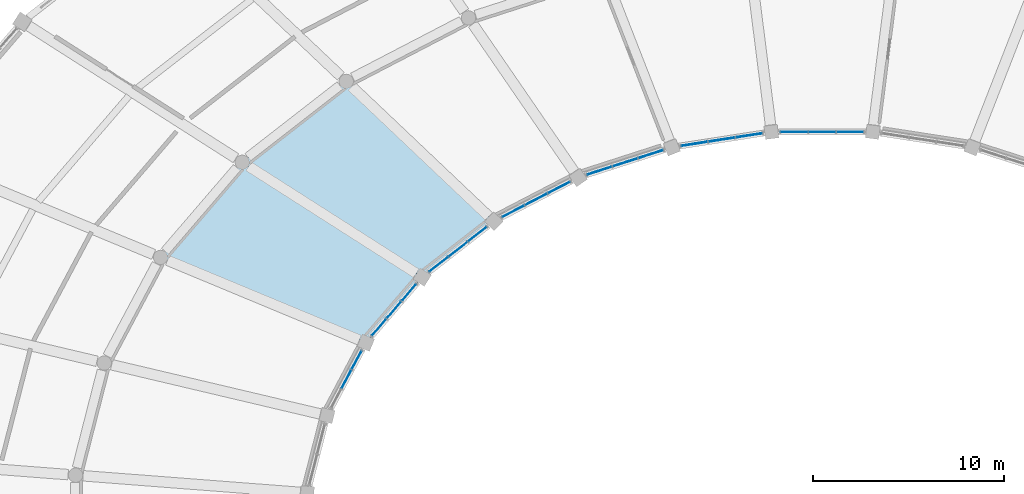
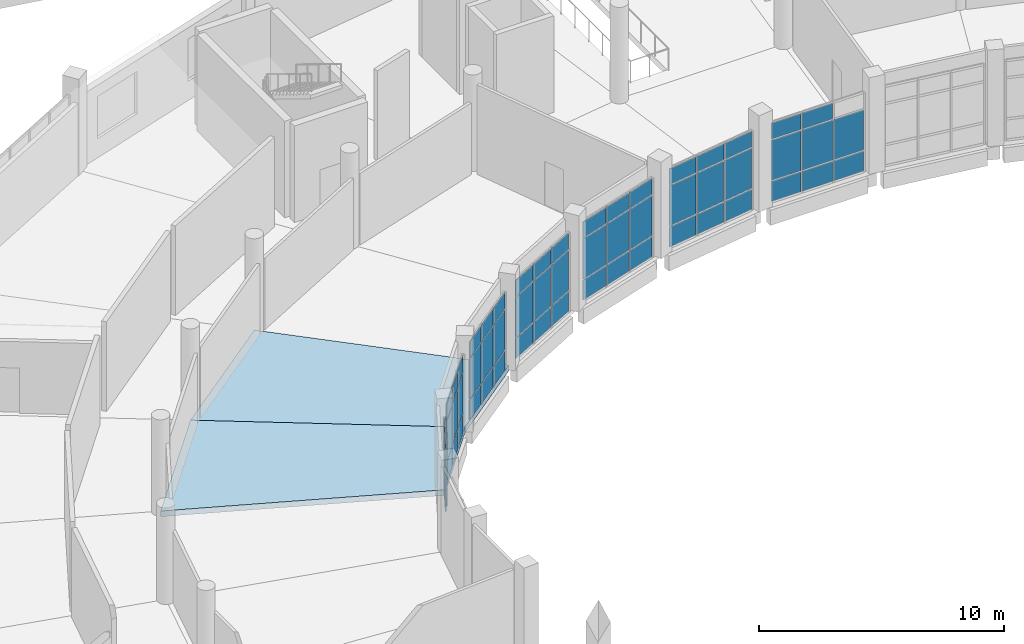
# One storey, part 89 of 179: 58 plates, 2 slabs, 7 elements without a shape of their own.
"""IFC4 building model written with IfcOpenShell, lengths in metres."""

from ifc_helpers import new_model, si_unit, direction, frame, origin, origin_2d, place, context, subcontext, project, spatial, polyline, rectangle, outline, extrude, material, layer, layer_set, type_object, element, aggregate, save


model = new_model("IFC4")

# Units and contexts
model_context = context("Model", 3, precision=1e-05, world=origin(), true_north=direction((0.0, 1.0)))
body_context = subcontext(model_context, "Body", "Model", "MODEL_VIEW")
ifc_project = project(units=[si_unit("LENGTHUNIT", "METRE"), si_unit("AREAUNIT", "SQUARE_METRE"), si_unit("VOLUMEUNIT", "CUBIC_METRE"), si_unit("PLANEANGLEUNIT", "RADIAN"), si_unit("MASSUNIT", "GRAM", prefix="KILO")], contexts=[model_context])

# Site, building, storey
site_placement = place(None, origin())
site = spatial("IfcSite", under=ifc_project, at=site_placement, CompositionType="ELEMENT")
building_placement = place(site_placement, origin())
building = spatial("IfcBuilding", under=site, at=building_placement, Name="Corvandel Quay Wholesale Market", CompositionType="ELEMENT")
storey_placement = place(building_placement, frame((0.0, 0.0, 6.0)))
storey = spatial("IfcBuildingStorey", under=building, at=storey_placement, Name="L01", CompositionType="ELEMENT", Elevation=6.0)

# Curtain wall, plates
ifc_material_1 = material(Name="Bronze anodised aluminium and low-E insulated glazing", Category="aluminium")
ifc_layer_1 = layer(ifc_material_1, 0.174072265625)
ifc_layer_set_1 = layer_set([ifc_layer_1], Name="Bronze anodised aluminium and low-E insulated glazing")
curtain_wall_type_1 = type_object("IfcCurtainWallType", Name="Stick Curtain Wall System CW22 H4980", PredefinedType="NOTDEFINED", material=ifc_layer_set_1)
curtain_wall_1_placement = place(storey_placement, origin())
curtain_wall_1 = element("IfcCurtainWall", 1, at=curtain_wall_1_placement, inside=storey, type_object=curtain_wall_type_1, Name="Curtain Wall CW-0022", PredefinedType="NOTDEFINED")
ifc_material_2 = material(Name="Solar-control low-E insulated glazing", Category="glass")
ifc_layer_2 = layer(ifc_material_2, 0.033935546875)
ifc_layer_set_2 = layer_set([ifc_layer_2], Name="Solar-control low-E insulated glazing")
plate_type_1 = type_object("IfcPlateType", Name="Acoustic Laminated Vision Panel PN02 34mm", PredefinedType="CURTAIN_PANEL", material=ifc_layer_set_2)
plate_1_placement = place(storey_placement, frame((115.466064453125, 63.0, 0.02978515625), z_axis=(0.0, 0.0, 1.0), x_axis=(1.0, 0.0, 0.0)))
plate_1 = element("IfcPlate", 2, at=plate_1_placement, type_object=plate_type_1, Name="Glazing Panel CW-0022-P00-0", PredefinedType="CURTAIN_PANEL", context=body_context, shape_type="SweptSolid", body=[
    extrude(rectangle(XDim=1.40087890625, YDim=0.033935546875, at=origin_2d()), origin(), (0.0, 0.0, 1.0), 0.989990234375),
])
plate_2_placement = place(storey_placement, frame((115.466064453125, 63.0, 1.080078125), z_axis=(0.0, 0.0, 1.0), x_axis=(1.0, 0.0, 0.0)))
plate_2 = element("IfcPlate", 3, at=plate_2_placement, type_object=plate_type_1, Name="Glazing Panel CW-0022-P00-1", PredefinedType="CURTAIN_PANEL", context=body_context, shape_type="SweptSolid", body=[
    extrude(rectangle(XDim=1.40087890625, YDim=0.033935546875, at=origin_2d()), origin(), (0.0, 0.0, 1.0), 1.989990234375),
])
plate_3_placement = place(storey_placement, frame((114.0, 63.0, 0.02978515625), z_axis=(0.0, 0.0, 1.0), x_axis=(1.0, 0.0, 0.0)))
plate_3 = element("IfcPlate", 4, at=plate_3_placement, type_object=plate_type_1, Name="Glazing Panel CW-0022-P01-0", PredefinedType="CURTAIN_PANEL", context=body_context, shape_type="SweptSolid", body=[
    extrude(rectangle(XDim=1.40087890625, YDim=0.033935546875, at=origin_2d()), origin(), (0.0, 0.0, 1.0), 0.989990234375),
])
plate_4_placement = place(storey_placement, frame((114.0, 63.0, 1.080078125), z_axis=(0.0, 0.0, 1.0), x_axis=(1.0, 0.0, 0.0)))
plate_4 = element("IfcPlate", 5, at=plate_4_placement, type_object=plate_type_1, Name="Glazing Panel CW-0022-P01-1", PredefinedType="CURTAIN_PANEL", context=body_context, shape_type="SweptSolid", body=[
    extrude(rectangle(XDim=1.40087890625, YDim=0.033935546875, at=origin_2d()), origin(), (0.0, 0.0, 1.0), 1.989990234375),
])
plate_5_placement = place(storey_placement, frame((112.533935546875, 63.0, 0.02978515625), z_axis=(0.0, 0.0, 1.0), x_axis=(1.0, 0.0, 0.0)))
plate_5 = element("IfcPlate", 6, at=plate_5_placement, type_object=plate_type_1, Name="Glazing Panel CW-0022-P02-0", PredefinedType="CURTAIN_PANEL", context=body_context, shape_type="SweptSolid", body=[
    extrude(rectangle(XDim=1.40087890625, YDim=0.033935546875, at=origin_2d()), origin(), (0.0, 0.0, 1.0), 0.989990234375),
])
plate_6_placement = place(storey_placement, frame((112.533935546875, 63.0, 1.080078125), z_axis=(0.0, 0.0, 1.0), x_axis=(1.0, 0.0, 0.0)))
plate_6 = element("IfcPlate", 7, at=plate_6_placement, type_object=plate_type_1, Name="Glazing Panel CW-0022-P02-1", PredefinedType="CURTAIN_PANEL", context=body_context, shape_type="SweptSolid", body=[
    extrude(rectangle(XDim=1.40087890625, YDim=0.033935546875, at=origin_2d()), origin(), (0.0, 0.0, 1.0), 1.989990234375),
])

ifc_layer_3 = layer(ifc_material_1, 0.18603515625)
ifc_layer_set_3 = layer_set([ifc_layer_3], Name="Bronze anodised aluminium and low-E insulated glazing")
curtain_wall_type_2 = type_object("IfcCurtainWallType", Name="Stick Curtain Wall System CW23 H5070", PredefinedType="NOTDEFINED", material=ifc_layer_set_3)
curtain_wall_2_placement = place(storey_placement, origin())
curtain_wall_2 = element("IfcCurtainWall", 8, at=curtain_wall_2_placement, inside=storey, type_object=curtain_wall_type_2, Name="Curtain Wall CW-0025", PredefinedType="NOTDEFINED")
plate_7_placement = place(storey_placement, frame((110.16845703125, 62.818603515625, 0.02978515625), z_axis=(0.0, 0.0, 1.0), x_axis=(0.98825506746, 0.152813355565, 0.0)))
plate_7 = element("IfcPlate", 9, at=plate_7_placement, type_object=plate_type_1, Name="Glazing Panel CW-0025-P00-0", PredefinedType="CURTAIN_PANEL", context=body_context, shape_type="SweptSolid", body=[
    extrude(rectangle(XDim=1.387939453125, YDim=0.033935546875, at=origin_2d()), origin(), (0.0, 0.0, 1.0), 0.989990234375),
])
plate_8_placement = place(storey_placement, frame((110.16845703125, 62.818603515625, 1.080078125), z_axis=(0.0, 0.0, 1.0), x_axis=(0.98825506746, 0.152813355565, 0.0)))
plate_8 = element("IfcPlate", 10, at=plate_8_placement, type_object=plate_type_1, Name="Glazing Panel CW-0025-P00-1", PredefinedType="CURTAIN_PANEL", context=body_context, shape_type="SweptSolid", body=[
    extrude(rectangle(XDim=1.387939453125, YDim=0.033935546875, at=origin_2d()), origin(), (0.0, 0.0, 1.0), 1.989990234375),
])
plate_9_placement = place(storey_placement, frame((108.732421875, 62.596435546875, 0.02978515625), z_axis=(0.0, 0.0, 1.0), x_axis=(0.98825506746, 0.152813355565, 0.0)))
plate_9 = element("IfcPlate", 11, at=plate_9_placement, type_object=plate_type_1, Name="Glazing Panel CW-0025-P01-0", PredefinedType="CURTAIN_PANEL", context=body_context, shape_type="SweptSolid", body=[
    extrude(rectangle(XDim=1.387939453125, YDim=0.033935546875, at=origin_2d()), origin(), (0.0, 0.0, 1.0), 0.989990234375),
])
plate_10_placement = place(storey_placement, frame((108.732421875, 62.596435546875, 1.080078125), z_axis=(0.0, 0.0, 1.0), x_axis=(0.98825506746, 0.152813355565, 0.0)))
plate_10 = element("IfcPlate", 12, at=plate_10_placement, type_object=plate_type_1, Name="Glazing Panel CW-0025-P01-1", PredefinedType="CURTAIN_PANEL", context=body_context, shape_type="SweptSolid", body=[
    extrude(rectangle(XDim=1.387939453125, YDim=0.033935546875, at=origin_2d()), origin(), (0.0, 0.0, 1.0), 1.989990234375),
])
plate_11_placement = place(storey_placement, frame((107.296630859375, 62.37451171875, 0.02978515625), z_axis=(0.0, 0.0, 1.0), x_axis=(0.98825506746, 0.152813355565, 0.0)))
plate_11 = element("IfcPlate", 13, at=plate_11_placement, type_object=plate_type_1, Name="Glazing Panel CW-0025-P02-0", PredefinedType="CURTAIN_PANEL", context=body_context, shape_type="SweptSolid", body=[
    extrude(rectangle(XDim=1.387939453125, YDim=0.033935546875, at=origin_2d()), origin(), (0.0, 0.0, 1.0), 0.989990234375),
])
plate_12_placement = place(storey_placement, frame((107.296630859375, 62.37451171875, 1.080078125), z_axis=(0.0, 0.0, 1.0), x_axis=(0.98825506746, 0.152813355565, 0.0)))
plate_12 = element("IfcPlate", 14, at=plate_12_placement, type_object=plate_type_1, Name="Glazing Panel CW-0025-P02-1", PredefinedType="CURTAIN_PANEL", context=body_context, shape_type="SweptSolid", body=[
    extrude(rectangle(XDim=1.387939453125, YDim=0.033935546875, at=origin_2d()), origin(), (0.0, 0.0, 1.0), 1.989990234375),
])

ifc_layer_4 = layer(ifc_material_1, 0.197998046875)
ifc_layer_set_4 = layer_set([ifc_layer_4], Name="Bronze anodised aluminium and low-E insulated glazing")
curtain_wall_type_3 = type_object("IfcCurtainWallType", Name="Stick Curtain Wall System CW24 H5160", PredefinedType="NOTDEFINED", material=ifc_layer_set_4)
curtain_wall_3_placement = place(storey_placement, origin())
curtain_wall_3 = element("IfcCurtainWall", 15, at=curtain_wall_3_placement, inside=storey, type_object=curtain_wall_type_3, Name="Curtain Wall CW-0028", PredefinedType="NOTDEFINED")
plate_13_placement = place(storey_placement, frame((105.01318359375, 61.835205078125, 0.02978515625), z_axis=(0.0, 0.0, 1.0), x_axis=(0.951808747363, 0.306692204733, 0.0)))
plate_13 = element("IfcPlate", 16, at=plate_13_placement, type_object=plate_type_1, Name="Glazing Panel CW-0028-P00-0", PredefinedType="CURTAIN_PANEL", context=body_context, shape_type="SweptSolid", body=[
    extrude(rectangle(XDim=1.348876953125, YDim=0.033935546875, at=origin_2d()), origin(), (0.0, 0.0, 1.0), 0.989990234375),
])
plate_14_placement = place(storey_placement, frame((105.01318359375, 61.835205078125, 1.080078125), z_axis=(0.0, 0.0, 1.0), x_axis=(0.951808747363, 0.306692204733, 0.0)))
plate_14 = element("IfcPlate", 17, at=plate_14_placement, type_object=plate_type_1, Name="Glazing Panel CW-0028-P00-1", PredefinedType="CURTAIN_PANEL", context=body_context, shape_type="SweptSolid", body=[
    extrude(rectangle(XDim=1.348876953125, YDim=0.033935546875, at=origin_2d()), origin(), (0.0, 0.0, 1.0), 1.989990234375),
])
plate_15_placement = place(storey_placement, frame((103.66748046875, 61.401611328125, 0.02978515625), z_axis=(0.0, 0.0, 1.0), x_axis=(0.951808747363, 0.306692204733, 0.0)))
plate_15 = element("IfcPlate", 18, at=plate_15_placement, type_object=plate_type_1, Name="Glazing Panel CW-0028-P01-0", PredefinedType="CURTAIN_PANEL", context=body_context, shape_type="SweptSolid", body=[
    extrude(rectangle(XDim=1.348876953125, YDim=0.033935546875, at=origin_2d()), origin(), (0.0, 0.0, 1.0), 0.989990234375),
])
plate_16_placement = place(storey_placement, frame((103.66748046875, 61.401611328125, 1.080078125), z_axis=(0.0, 0.0, 1.0), x_axis=(0.951808747363, 0.306692204733, 0.0)))
plate_16 = element("IfcPlate", 19, at=plate_16_placement, type_object=plate_type_1, Name="Glazing Panel CW-0028-P01-1", PredefinedType="CURTAIN_PANEL", context=body_context, shape_type="SweptSolid", body=[
    extrude(rectangle(XDim=1.348876953125, YDim=0.033935546875, at=origin_2d()), origin(), (0.0, 0.0, 1.0), 1.989990234375),
])
plate_17_placement = place(storey_placement, frame((102.32177734375, 60.968017578125, 0.02978515625), z_axis=(0.0, 0.0, 1.0), x_axis=(0.951808747363, 0.306692204733, 0.0)))
plate_17 = element("IfcPlate", 20, at=plate_17_placement, type_object=plate_type_1, Name="Glazing Panel CW-0028-P02-0", PredefinedType="CURTAIN_PANEL", context=body_context, shape_type="SweptSolid", body=[
    extrude(rectangle(XDim=1.348876953125, YDim=0.033935546875, at=origin_2d()), origin(), (0.0, 0.0, 1.0), 0.989990234375),
])
plate_18_placement = place(storey_placement, frame((102.32177734375, 60.968017578125, 1.080078125), z_axis=(0.0, 0.0, 1.0), x_axis=(0.951808747363, 0.306692204733, 0.0)))
plate_18 = element("IfcPlate", 21, at=plate_18_placement, type_object=plate_type_1, Name="Glazing Panel CW-0028-P02-1", PredefinedType="CURTAIN_PANEL", context=body_context, shape_type="SweptSolid", body=[
    extrude(rectangle(XDim=1.348876953125, YDim=0.033935546875, at=origin_2d()), origin(), (0.0, 0.0, 1.0), 1.989990234375),
])

ifc_layer_5 = layer(ifc_material_1, 0.14990234375)
ifc_layer_set_5 = layer_set([ifc_layer_5], Name="Bronze anodised aluminium and low-E insulated glazing")
curtain_wall_type_4 = type_object("IfcCurtainWallType", Name="Stick Curtain Wall System CW25 H5250", PredefinedType="NOTDEFINED", material=ifc_layer_set_5)
curtain_wall_4_placement = place(storey_placement, origin())
curtain_wall_4 = element("IfcCurtainWall", 22, at=curtain_wall_4_placement, inside=storey, type_object=curtain_wall_type_4, Name="Curtain Wall CW-0032", PredefinedType="NOTDEFINED")
plate_19_placement = place(storey_placement, frame((100.201904296875, 60.085693359375, 0.02978515625), z_axis=(0.0, 0.0, 1.0), x_axis=(0.887332978338, 0.461129250378, 0.0)))
plate_19 = element("IfcPlate", 23, at=plate_19_placement, type_object=plate_type_1, Name="Glazing Panel CW-0032-P00-0", PredefinedType="CURTAIN_PANEL", context=body_context, shape_type="SweptSolid", body=[
    extrude(rectangle(XDim=1.28955078125, YDim=0.033935546875, at=origin_2d()), origin(), (0.0, 0.0, 1.0), 0.989990234375),
])
plate_20_placement = place(storey_placement, frame((100.201904296875, 60.085693359375, 1.080078125), z_axis=(0.0, 0.0, 1.0), x_axis=(0.887332978338, 0.461129250378, 0.0)))
plate_20 = element("IfcPlate", 24, at=plate_20_placement, type_object=plate_type_1, Name="Glazing Panel CW-0032-P00-1", PredefinedType="CURTAIN_PANEL", context=body_context, shape_type="SweptSolid", body=[
    extrude(rectangle(XDim=1.28955078125, YDim=0.033935546875, at=origin_2d()), origin(), (0.0, 0.0, 1.0), 1.989990234375),
])
plate_21_placement = place(storey_placement, frame((99.0, 59.4609375, 0.02978515625), z_axis=(0.0, 0.0, 1.0), x_axis=(0.887332978338, 0.461129250378, 0.0)))
plate_21 = element("IfcPlate", 25, at=plate_21_placement, type_object=plate_type_1, Name="Glazing Panel CW-0032-P01-0", PredefinedType="CURTAIN_PANEL", context=body_context, shape_type="SweptSolid", body=[
    extrude(rectangle(XDim=1.28955078125, YDim=0.033935546875, at=origin_2d()), origin(), (0.0, 0.0, 1.0), 0.989990234375),
])
plate_22_placement = place(storey_placement, frame((99.0, 59.4609375, 1.080078125), z_axis=(0.0, 0.0, 1.0), x_axis=(0.887332978338, 0.461129250378, 0.0)))
plate_22 = element("IfcPlate", 26, at=plate_22_placement, type_object=plate_type_1, Name="Glazing Panel CW-0032-P01-1", PredefinedType="CURTAIN_PANEL", context=body_context, shape_type="SweptSolid", body=[
    extrude(rectangle(XDim=1.28955078125, YDim=0.033935546875, at=origin_2d()), origin(), (0.0, 0.0, 1.0), 1.989990234375),
])
plate_23_placement = place(storey_placement, frame((97.798095703125, 58.83642578125, 0.02978515625), z_axis=(0.0, 0.0, 1.0), x_axis=(0.887332978338, 0.461129250378, 0.0)))
plate_23 = element("IfcPlate", 27, at=plate_23_placement, type_object=plate_type_1, Name="Glazing Panel CW-0032-P02-0", PredefinedType="CURTAIN_PANEL", context=body_context, shape_type="SweptSolid", body=[
    extrude(rectangle(XDim=1.28955078125, YDim=0.033935546875, at=origin_2d()), origin(), (0.0, 0.0, 1.0), 0.989990234375),
])
plate_24_placement = place(storey_placement, frame((97.798095703125, 58.83642578125, 1.080078125), z_axis=(0.0, 0.0, 1.0), x_axis=(0.887332978338, 0.461129250378, 0.0)))
plate_24 = element("IfcPlate", 28, at=plate_24_placement, type_object=plate_type_1, Name="Glazing Panel CW-0032-P02-1", PredefinedType="CURTAIN_PANEL", context=body_context, shape_type="SweptSolid", body=[
    extrude(rectangle(XDim=1.28955078125, YDim=0.033935546875, at=origin_2d()), origin(), (0.0, 0.0, 1.0), 1.989990234375),
])

ifc_layer_6 = layer(ifc_material_1, 0.162109375)
ifc_layer_set_6 = layer_set([ifc_layer_6], Name="Bronze anodised aluminium and low-E insulated glazing")
curtain_wall_type_5 = type_object("IfcCurtainWallType", Name="Stick Curtain Wall System CW26 H5340", PredefinedType="NOTDEFINED", material=ifc_layer_set_6)
curtain_wall_5_placement = place(storey_placement, origin())
curtain_wall_5 = element("IfcCurtainWall", 29, at=curtain_wall_5_placement, inside=storey, type_object=curtain_wall_type_5, Name="Curtain Wall CW-0034", PredefinedType="NOTDEFINED")
plate_25_placement = place(storey_placement, frame((95.920166015625, 57.63623046875, 0.02978515625), z_axis=(0.0, 0.0, 1.0), x_axis=(0.789405615633, 0.613871952452, 0.0)))
plate_25 = element("IfcPlate", 30, at=plate_25_placement, type_object=plate_type_1, Name="Glazing Panel CW-0034-P00-0", PredefinedType="CURTAIN_PANEL", context=body_context, shape_type="SweptSolid", body=[
    extrude(rectangle(XDim=1.216552734375, YDim=0.033935546875, at=origin_2d()), origin(), (0.0, 0.0, 1.0), 0.989990234375),
])
plate_26_placement = place(storey_placement, frame((95.920166015625, 57.63623046875, 1.080078125), z_axis=(0.0, 0.0, 1.0), x_axis=(0.789405615633, 0.613871952452, 0.0)))
plate_26 = element("IfcPlate", 31, at=plate_26_placement, type_object=plate_type_1, Name="Glazing Panel CW-0034-P00-1", PredefinedType="CURTAIN_PANEL", context=body_context, shape_type="SweptSolid", body=[
    extrude(rectangle(XDim=1.216552734375, YDim=0.033935546875, at=origin_2d()), origin(), (0.0, 0.0, 1.0), 1.989990234375),
])
plate_27_placement = place(storey_placement, frame((94.908447265625, 56.849609375, 0.02978515625), z_axis=(0.0, 0.0, 1.0), x_axis=(0.789405615633, 0.613871952452, 0.0)))
plate_27 = element("IfcPlate", 32, at=plate_27_placement, type_object=plate_type_1, Name="Glazing Panel CW-0034-P01-0", PredefinedType="CURTAIN_PANEL", context=body_context, shape_type="SweptSolid", body=[
    extrude(rectangle(XDim=1.216552734375, YDim=0.033935546875, at=origin_2d()), origin(), (0.0, 0.0, 1.0), 0.989990234375),
])
plate_28_placement = place(storey_placement, frame((94.908447265625, 56.849609375, 1.080078125), z_axis=(0.0, 0.0, 1.0), x_axis=(0.789405615633, 0.613871952452, 0.0)))
plate_28 = element("IfcPlate", 33, at=plate_28_placement, type_object=plate_type_1, Name="Glazing Panel CW-0034-P01-1", PredefinedType="CURTAIN_PANEL", context=body_context, shape_type="SweptSolid", body=[
    extrude(rectangle(XDim=1.216552734375, YDim=0.033935546875, at=origin_2d()), origin(), (0.0, 0.0, 1.0), 1.989990234375),
])
plate_29_placement = place(storey_placement, frame((93.89697265625, 56.062744140625, 0.02978515625), z_axis=(0.0, 0.0, 1.0), x_axis=(0.789405615633, 0.613871952452, 0.0)))
plate_29 = element("IfcPlate", 34, at=plate_29_placement, type_object=plate_type_1, Name="Glazing Panel CW-0034-P02-0", PredefinedType="CURTAIN_PANEL", context=body_context, shape_type="SweptSolid", body=[
    extrude(rectangle(XDim=1.216552734375, YDim=0.033935546875, at=origin_2d()), origin(), (0.0, 0.0, 1.0), 0.989990234375),
])
plate_30_placement = place(storey_placement, frame((93.89697265625, 56.062744140625, 1.080078125), z_axis=(0.0, 0.0, 1.0), x_axis=(0.789405615633, 0.613871952452, 0.0)))
plate_30 = element("IfcPlate", 35, at=plate_30_placement, type_object=plate_type_1, Name="Glazing Panel CW-0034-P02-1", PredefinedType="CURTAIN_PANEL", context=body_context, shape_type="SweptSolid", body=[
    extrude(rectangle(XDim=1.216552734375, YDim=0.033935546875, at=origin_2d()), origin(), (0.0, 0.0, 1.0), 1.989990234375),
])

ifc_layer_7 = layer(ifc_material_1, 0.174072265625)
ifc_layer_set_7 = layer_set([ifc_layer_7], Name="Bronze anodised aluminium and low-E insulated glazing")
curtain_wall_type_6 = type_object("IfcCurtainWallType", Name="Stick Curtain Wall System CW27 H5430", PredefinedType="NOTDEFINED", material=ifc_layer_set_7)
curtain_wall_6_placement = place(storey_placement, origin())
curtain_wall_6 = element("IfcCurtainWall", 36, at=curtain_wall_6_placement, inside=storey, type_object=curtain_wall_type_6, Name="Curtain Wall CW-0038", PredefinedType="NOTDEFINED")
plate_31_placement = place(storey_placement, frame((92.335693359375, 54.5810546875, 0.02978515625), z_axis=(0.0, 0.0, 1.0), x_axis=(0.651568967347, 0.758589401976, 0.0)))
plate_31 = element("IfcPlate", 37, at=plate_31_placement, type_object=plate_type_1, Name="Glazing Panel CW-0038-P00-0", PredefinedType="CURTAIN_PANEL", context=body_context, shape_type="SweptSolid", body=[
    extrude(rectangle(XDim=1.139892578125, YDim=0.033935546875, at=origin_2d()), origin(), (0.0, 0.0, 1.0), 0.989990234375),
])
plate_32_placement = place(storey_placement, frame((92.335693359375, 54.5810546875, 1.080078125), z_axis=(0.0, 0.0, 1.0), x_axis=(0.651568967347, 0.758589401976, 0.0)))
plate_32 = element("IfcPlate", 38, at=plate_32_placement, type_object=plate_type_1, Name="Glazing Panel CW-0038-P00-1", PredefinedType="CURTAIN_PANEL", context=body_context, shape_type="SweptSolid", body=[
    extrude(rectangle(XDim=1.139892578125, YDim=0.033935546875, at=origin_2d()), origin(), (0.0, 0.0, 1.0), 1.989990234375),
])
plate_33_placement = place(storey_placement, frame((91.550537109375, 53.6669921875, 0.02978515625), z_axis=(0.0, 0.0, 1.0), x_axis=(0.651568967347, 0.758589401976, 0.0)))
plate_33 = element("IfcPlate", 39, at=plate_33_placement, type_object=plate_type_1, Name="Glazing Panel CW-0038-P01-0", PredefinedType="CURTAIN_PANEL", context=body_context, shape_type="SweptSolid", body=[
    extrude(rectangle(XDim=1.139892578125, YDim=0.033935546875, at=origin_2d()), origin(), (0.0, 0.0, 1.0), 0.989990234375),
])
plate_34_placement = place(storey_placement, frame((91.550537109375, 53.6669921875, 1.080078125), z_axis=(0.0, 0.0, 1.0), x_axis=(0.651568967347, 0.758589401976, 0.0)))
plate_34 = element("IfcPlate", 40, at=plate_34_placement, type_object=plate_type_1, Name="Glazing Panel CW-0038-P01-1", PredefinedType="CURTAIN_PANEL", context=body_context, shape_type="SweptSolid", body=[
    extrude(rectangle(XDim=1.139892578125, YDim=0.033935546875, at=origin_2d()), origin(), (0.0, 0.0, 1.0), 1.989990234375),
])
plate_35_placement = place(storey_placement, frame((90.765380859375, 52.7529296875, 0.02978515625), z_axis=(0.0, 0.0, 1.0), x_axis=(0.651568967347, 0.758589401976, 0.0)))
plate_35 = element("IfcPlate", 41, at=plate_35_placement, type_object=plate_type_1, Name="Glazing Panel CW-0038-P02-0", PredefinedType="CURTAIN_PANEL", context=body_context, shape_type="SweptSolid", body=[
    extrude(rectangle(XDim=1.139892578125, YDim=0.033935546875, at=origin_2d()), origin(), (0.0, 0.0, 1.0), 0.989990234375),
])
plate_36_placement = place(storey_placement, frame((90.765380859375, 52.7529296875, 1.080078125), z_axis=(0.0, 0.0, 1.0), x_axis=(0.651568967347, 0.758589401976, 0.0)))
plate_36 = element("IfcPlate", 42, at=plate_36_placement, type_object=plate_type_1, Name="Glazing Panel CW-0038-P02-1", PredefinedType="CURTAIN_PANEL", context=body_context, shape_type="SweptSolid", body=[
    extrude(rectangle(XDim=1.139892578125, YDim=0.033935546875, at=origin_2d()), origin(), (0.0, 0.0, 1.0), 1.989990234375),
])

ifc_layer_8 = layer(ifc_material_1, 0.18603515625)
ifc_layer_set_8 = layer_set([ifc_layer_8], Name="Bronze anodised aluminium and low-E insulated glazing")
curtain_wall_type_7 = type_object("IfcCurtainWallType", Name="Stick Curtain Wall System CW28 H5520", PredefinedType="NOTDEFINED", material=ifc_layer_set_8)
curtain_wall_7_placement = place(storey_placement, origin())
curtain_wall_7 = element("IfcCurtainWall", 43, at=curtain_wall_7_placement, inside=storey, type_object=curtain_wall_type_7, Name="Curtain Wall CW-0041", PredefinedType="NOTDEFINED")
plate_37_placement = place(storey_placement, frame((89.589599609375, 51.039306640625, 0.02978515625), z_axis=(0.0, 0.0, 1.0), x_axis=(0.469933808689, 0.882701657102, 0.0)))
plate_37 = element("IfcPlate", 44, at=plate_37_placement, type_object=plate_type_1, Name="Glazing Panel CW-0041-P00-0", PredefinedType="CURTAIN_PANEL", context=body_context, shape_type="SweptSolid", body=[
    extrude(rectangle(XDim=1.071533203125, YDim=0.033935546875, at=origin_2d()), origin(), (0.0, 0.0, 1.0), 0.989990234375),
])
plate_38_placement = place(storey_placement, frame((89.589599609375, 51.039306640625, 1.080078125), z_axis=(0.0, 0.0, 1.0), x_axis=(0.469933808689, 0.882701657102, 0.0)))
plate_38 = element("IfcPlate", 45, at=plate_38_placement, type_object=plate_type_1, Name="Glazing Panel CW-0041-P00-1", PredefinedType="CURTAIN_PANEL", context=body_context, shape_type="SweptSolid", body=[
    extrude(rectangle(XDim=1.071533203125, YDim=0.033935546875, at=origin_2d()), origin(), (0.0, 0.0, 1.0), 1.989990234375),
])
plate_39_placement = place(storey_placement, frame((89.055419921875, 50.035888671875, 1.080078125), z_axis=(0.0, 0.0, 1.0), x_axis=(0.469933808689, 0.882701657102, 0.0)))
plate_39 = element("IfcPlate", 46, at=plate_39_placement, type_object=plate_type_1, Name="Glazing Panel CW-0041-P01-1", PredefinedType="CURTAIN_PANEL", context=body_context, shape_type="SweptSolid", body=[
    extrude(rectangle(XDim=1.071533203125, YDim=0.033935546875, at=origin_2d()), origin(), (0.0, 0.0, 1.0), 1.989990234375),
])

# Plate
ifc_layer_9 = layer(ifc_material_2, 0.0400390625)
ifc_layer_set_9 = layer_set([ifc_layer_9], Name="Solar-control low-E insulated glazing")
plate_type_2 = type_object("IfcPlateType", Name="Ceramic Fritted Spandrel Panel PN03 40mm", PredefinedType="CURTAIN_PANEL", material=ifc_layer_set_9)
plate_40_placement = place(storey_placement, frame((114.0, 63.0, 3.1298828125), z_axis=(0.0, 0.0, 1.0), x_axis=(1.0, 0.0, 0.0)))
plate_40 = element("IfcPlate", 47, at=plate_40_placement, type_object=plate_type_2, Name="Glazing Panel CW-0022-P01-2", PredefinedType="CURTAIN_PANEL", context=body_context, shape_type="SweptSolid", body=[
    extrude(rectangle(XDim=1.40087890625, YDim=0.0400390625, at=origin_2d()), origin(), (0.0, 0.0, 1.0), 0.7900390625),
])

plate_41_placement = place(storey_placement, frame((112.533935546875, 63.0, 3.1298828125), z_axis=(0.0, 0.0, 1.0), x_axis=(1.0, 0.0, 0.0)))
plate_41 = element("IfcPlate", 48, at=plate_41_placement, type_object=plate_type_2, Name="Glazing Panel CW-0022-P02-2", PredefinedType="CURTAIN_PANEL", context=body_context, shape_type="SweptSolid", body=[
    extrude(rectangle(XDim=1.40087890625, YDim=0.0400390625, at=origin_2d()), origin(), (0.0, 0.0, 1.0), 0.7900390625),
])

aggregate(curtain_wall_1, [plate_1, plate_2, plate_3, plate_4, plate_40, plate_5, plate_6, plate_41])

plate_42_placement = place(storey_placement, frame((110.16845703125, 62.818603515625, 3.1298828125), z_axis=(0.0, 0.0, 1.0), x_axis=(0.98825506746, 0.152813355565, 0.0)))
plate_42 = element("IfcPlate", 49, at=plate_42_placement, type_object=plate_type_2, Name="Glazing Panel CW-0025-P00-2", PredefinedType="CURTAIN_PANEL", context=body_context, shape_type="SweptSolid", body=[
    extrude(rectangle(XDim=1.387939453125, YDim=0.0400390625, at=origin_2d()), origin(), (0.0, 0.0, 1.0), 0.7900390625),
])

plate_43_placement = place(storey_placement, frame((108.732421875, 62.596435546875, 3.1298828125), z_axis=(0.0, 0.0, 1.0), x_axis=(0.98825506746, 0.152813355565, 0.0)))
plate_43 = element("IfcPlate", 50, at=plate_43_placement, type_object=plate_type_2, Name="Glazing Panel CW-0025-P01-2", PredefinedType="CURTAIN_PANEL", context=body_context, shape_type="SweptSolid", body=[
    extrude(rectangle(XDim=1.387939453125, YDim=0.0400390625, at=origin_2d()), origin(), (0.0, 0.0, 1.0), 0.7900390625),
])

plate_44_placement = place(storey_placement, frame((107.296630859375, 62.37451171875, 3.1298828125), z_axis=(0.0, 0.0, 1.0), x_axis=(0.98825506746, 0.152813355565, 0.0)))
plate_44 = element("IfcPlate", 51, at=plate_44_placement, type_object=plate_type_2, Name="Glazing Panel CW-0025-P02-2", PredefinedType="CURTAIN_PANEL", context=body_context, shape_type="SweptSolid", body=[
    extrude(rectangle(XDim=1.387939453125, YDim=0.0400390625, at=origin_2d()), origin(), (0.0, 0.0, 1.0), 0.7900390625),
])

aggregate(curtain_wall_2, [plate_7, plate_8, plate_42, plate_9, plate_10, plate_43, plate_11, plate_12, plate_44])

plate_45_placement = place(storey_placement, frame((105.01318359375, 61.835205078125, 3.1298828125), z_axis=(0.0, 0.0, 1.0), x_axis=(0.951808747363, 0.306692204733, 0.0)))
plate_45 = element("IfcPlate", 52, at=plate_45_placement, type_object=plate_type_2, Name="Glazing Panel CW-0028-P00-2", PredefinedType="CURTAIN_PANEL", context=body_context, shape_type="SweptSolid", body=[
    extrude(rectangle(XDim=1.348876953125, YDim=0.0400390625, at=origin_2d()), origin(), (0.0, 0.0, 1.0), 0.7900390625),
])

plate_46_placement = place(storey_placement, frame((103.66748046875, 61.401611328125, 3.1298828125), z_axis=(0.0, 0.0, 1.0), x_axis=(0.951808747363, 0.306692204733, 0.0)))
plate_46 = element("IfcPlate", 53, at=plate_46_placement, type_object=plate_type_2, Name="Glazing Panel CW-0028-P01-2", PredefinedType="CURTAIN_PANEL", context=body_context, shape_type="SweptSolid", body=[
    extrude(rectangle(XDim=1.348876953125, YDim=0.0400390625, at=origin_2d()), origin(), (0.0, 0.0, 1.0), 0.7900390625),
])

plate_47_placement = place(storey_placement, frame((102.32177734375, 60.968017578125, 3.1298828125), z_axis=(0.0, 0.0, 1.0), x_axis=(0.951808747363, 0.306692204733, 0.0)))
plate_47 = element("IfcPlate", 54, at=plate_47_placement, type_object=plate_type_2, Name="Glazing Panel CW-0028-P02-2", PredefinedType="CURTAIN_PANEL", context=body_context, shape_type="SweptSolid", body=[
    extrude(rectangle(XDim=1.348876953125, YDim=0.0400390625, at=origin_2d()), origin(), (0.0, 0.0, 1.0), 0.7900390625),
])

aggregate(curtain_wall_3, [plate_13, plate_14, plate_45, plate_15, plate_16, plate_46, plate_17, plate_18, plate_47])

plate_48_placement = place(storey_placement, frame((100.201904296875, 60.085693359375, 3.1298828125), z_axis=(0.0, 0.0, 1.0), x_axis=(0.887332978338, 0.461129250378, 0.0)))
plate_48 = element("IfcPlate", 55, at=plate_48_placement, type_object=plate_type_2, Name="Glazing Panel CW-0032-P00-2", PredefinedType="CURTAIN_PANEL", context=body_context, shape_type="SweptSolid", body=[
    extrude(rectangle(XDim=1.28955078125, YDim=0.0400390625, at=origin_2d()), origin(), (0.0, 0.0, 1.0), 0.7900390625),
])

plate_49_placement = place(storey_placement, frame((99.0, 59.4609375, 3.1298828125), z_axis=(0.0, 0.0, 1.0), x_axis=(0.887332978338, 0.461129250378, 0.0)))
plate_49 = element("IfcPlate", 56, at=plate_49_placement, type_object=plate_type_2, Name="Glazing Panel CW-0032-P01-2", PredefinedType="CURTAIN_PANEL", context=body_context, shape_type="SweptSolid", body=[
    extrude(rectangle(XDim=1.28955078125, YDim=0.0400390625, at=origin_2d()), origin(), (0.0, 0.0, 1.0), 0.7900390625),
])

plate_50_placement = place(storey_placement, frame((97.798095703125, 58.83642578125, 3.1298828125), z_axis=(0.0, 0.0, 1.0), x_axis=(0.887332978338, 0.461129250378, 0.0)))
plate_50 = element("IfcPlate", 57, at=plate_50_placement, type_object=plate_type_2, Name="Glazing Panel CW-0032-P02-2", PredefinedType="CURTAIN_PANEL", context=body_context, shape_type="SweptSolid", body=[
    extrude(rectangle(XDim=1.28955078125, YDim=0.0400390625, at=origin_2d()), origin(), (0.0, 0.0, 1.0), 0.7900390625),
])

aggregate(curtain_wall_4, [plate_19, plate_20, plate_48, plate_21, plate_22, plate_49, plate_23, plate_24, plate_50])

plate_51_placement = place(storey_placement, frame((95.920166015625, 57.63623046875, 3.1298828125), z_axis=(0.0, 0.0, 1.0), x_axis=(0.789405615633, 0.613871952452, 0.0)))
plate_51 = element("IfcPlate", 58, at=plate_51_placement, type_object=plate_type_2, Name="Glazing Panel CW-0034-P00-2", PredefinedType="CURTAIN_PANEL", context=body_context, shape_type="SweptSolid", body=[
    extrude(rectangle(XDim=1.216552734375, YDim=0.0400390625, at=origin_2d()), origin(), (0.0, 0.0, 1.0), 0.7900390625),
])

plate_52_placement = place(storey_placement, frame((94.908447265625, 56.849609375, 3.1298828125), z_axis=(0.0, 0.0, 1.0), x_axis=(0.789405615633, 0.613871952452, 0.0)))
plate_52 = element("IfcPlate", 59, at=plate_52_placement, type_object=plate_type_2, Name="Glazing Panel CW-0034-P01-2", PredefinedType="CURTAIN_PANEL", context=body_context, shape_type="SweptSolid", body=[
    extrude(rectangle(XDim=1.216552734375, YDim=0.0400390625, at=origin_2d()), origin(), (0.0, 0.0, 1.0), 0.7900390625),
])

plate_53_placement = place(storey_placement, frame((93.89697265625, 56.062744140625, 3.1298828125), z_axis=(0.0, 0.0, 1.0), x_axis=(0.789405615633, 0.613871952452, 0.0)))
plate_53 = element("IfcPlate", 60, at=plate_53_placement, type_object=plate_type_2, Name="Glazing Panel CW-0034-P02-2", PredefinedType="CURTAIN_PANEL", context=body_context, shape_type="SweptSolid", body=[
    extrude(rectangle(XDim=1.216552734375, YDim=0.0400390625, at=origin_2d()), origin(), (0.0, 0.0, 1.0), 0.7900390625),
])

aggregate(curtain_wall_5, [plate_25, plate_26, plate_51, plate_27, plate_28, plate_52, plate_29, plate_30, plate_53])

plate_54_placement = place(storey_placement, frame((92.335693359375, 54.5810546875, 3.1298828125), z_axis=(0.0, 0.0, 1.0), x_axis=(0.651568967347, 0.758589401976, 0.0)))
plate_54 = element("IfcPlate", 61, at=plate_54_placement, type_object=plate_type_2, Name="Glazing Panel CW-0038-P00-2", PredefinedType="CURTAIN_PANEL", context=body_context, shape_type="SweptSolid", body=[
    extrude(rectangle(XDim=1.139892578125, YDim=0.0400390625, at=origin_2d()), origin(), (0.0, 0.0, 1.0), 0.7900390625),
])

plate_55_placement = place(storey_placement, frame((91.550537109375, 53.6669921875, 3.1298828125), z_axis=(0.0, 0.0, 1.0), x_axis=(0.651568967347, 0.758589401976, 0.0)))
plate_55 = element("IfcPlate", 62, at=plate_55_placement, type_object=plate_type_2, Name="Glazing Panel CW-0038-P01-2", PredefinedType="CURTAIN_PANEL", context=body_context, shape_type="SweptSolid", body=[
    extrude(rectangle(XDim=1.139892578125, YDim=0.0400390625, at=origin_2d()), origin(), (0.0, 0.0, 1.0), 0.7900390625),
])

plate_56_placement = place(storey_placement, frame((90.765380859375, 52.7529296875, 3.1298828125), z_axis=(0.0, 0.0, 1.0), x_axis=(0.651568967347, 0.758589401976, 0.0)))
plate_56 = element("IfcPlate", 63, at=plate_56_placement, type_object=plate_type_2, Name="Glazing Panel CW-0038-P02-2", PredefinedType="CURTAIN_PANEL", context=body_context, shape_type="SweptSolid", body=[
    extrude(rectangle(XDim=1.139892578125, YDim=0.0400390625, at=origin_2d()), origin(), (0.0, 0.0, 1.0), 0.7900390625),
])

aggregate(curtain_wall_6, [plate_31, plate_32, plate_54, plate_33, plate_34, plate_55, plate_35, plate_36, plate_56])

plate_57_placement = place(storey_placement, frame((89.589599609375, 51.039306640625, 3.1298828125), z_axis=(0.0, 0.0, 1.0), x_axis=(0.469933808689, 0.882701657102, 0.0)))
plate_57 = element("IfcPlate", 64, at=plate_57_placement, type_object=plate_type_2, Name="Glazing Panel CW-0041-P00-2", PredefinedType="CURTAIN_PANEL", context=body_context, shape_type="SweptSolid", body=[
    extrude(rectangle(XDim=1.071533203125, YDim=0.0400390625, at=origin_2d()), origin(), (0.0, 0.0, 1.0), 0.7900390625),
])

plate_58_placement = place(storey_placement, frame((89.055419921875, 50.035888671875, 3.1298828125), z_axis=(0.0, 0.0, 1.0), x_axis=(0.469933808689, 0.882701657102, 0.0)))
plate_58 = element("IfcPlate", 65, at=plate_58_placement, type_object=plate_type_2, Name="Glazing Panel CW-0041-P01-2", PredefinedType="CURTAIN_PANEL", context=body_context, shape_type="SweptSolid", body=[
    extrude(rectangle(XDim=1.071533203125, YDim=0.0400390625, at=origin_2d()), origin(), (0.0, 0.0, 1.0), 0.7900390625),
])

aggregate(curtain_wall_7, [plate_37, plate_38, plate_57, plate_39, plate_58])

# Slabs
ifc_material_3 = material(Name="Concrete C40/50", Category="concrete")
ifc_layer_10 = layer(ifc_material_3, 0.280029296875)
ifc_layer_set_10 = layer_set([ifc_layer_10], Name="Concrete C40/50")
slab_type = type_object("IfcSlabType", Name="Composite Sorting Gallery Floor Slab 280", PredefinedType="FLOOR", material=ifc_layer_set_10)
slab_1_placement = place(storey_placement, frame((0.0, 0.0, -0.280029296875)))
element("IfcSlab", 66, at=slab_1_placement, inside=storey, type_object=slab_type, Name="Slab SLB-0060", PredefinedType="FLOOR", context=body_context, shape_type="SweptSolid", body=[
    extrude(outline(polyline([(96.7890625, 58.31201171875), (93.028076171875, 55.386962890625), (83.590087890625, 61.410888671875), (89.04296875, 65.652099609375), (96.7890625, 58.31201171875)])), origin(), (0.0, 0.0, 1.0), 0.280029296875),
])
slab_2_placement = place(storey_placement, frame((0.0, 0.0, -0.280029296875)))
element("IfcSlab", 67, at=slab_2_placement, inside=storey, type_object=slab_type, Name="Slab SLB-0065", PredefinedType="FLOOR", context=body_context, shape_type="SweptSolid", body=[
    extrude(outline(polyline([(93.028076171875, 55.386962890625), (90.072998046875, 51.947021484375), (79.305908203125, 56.423095703125), (83.590087890625, 61.410888671875), (93.028076171875, 55.386962890625)])), origin(), (0.0, 0.0, 1.0), 0.280029296875),
])

save(model, "model.ifc")
